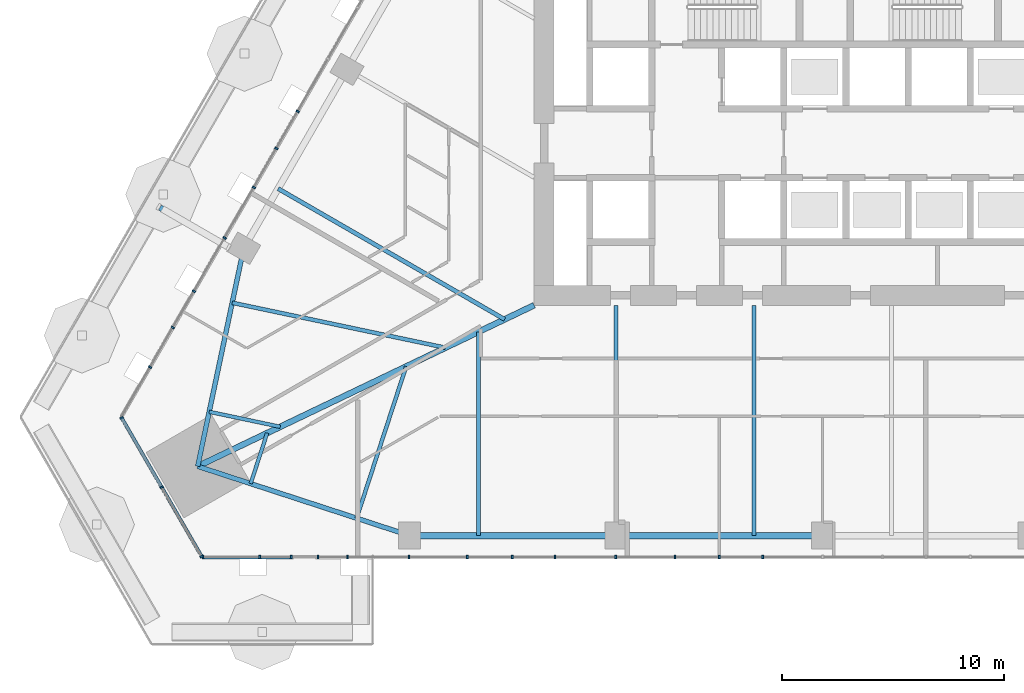
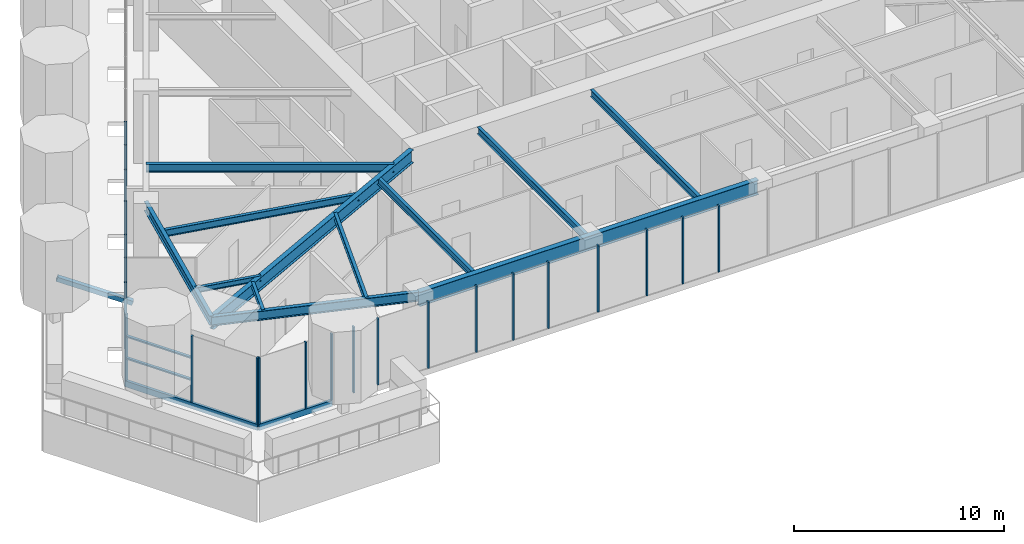
# One storey, part 2 of 25: 28 members, 12 beams, 3 elements without a shape of their own.
"""IFC4 building model written with IfcOpenShell, lengths in metres."""

from ifc_helpers import new_model, si_unit, direction, frame, origin, origin_2d, place, context, subcontext, project, spatial, rectangle, hollow_rectangle, i_section, extrude, material, layer, layer_set, material_profile, profile_set, type_object, element, aggregate, save


model = new_model("IFC4")

# Units and contexts
model_context = context("Model", 3, precision=1e-05, world=origin(), true_north=direction((0.0, 1.0)))
body_context = subcontext(model_context, "Body", "Model", "MODEL_VIEW")
ifc_project = project(units=[si_unit("LENGTHUNIT", "METRE"), si_unit("AREAUNIT", "SQUARE_METRE"), si_unit("VOLUMEUNIT", "CUBIC_METRE"), si_unit("PLANEANGLEUNIT", "RADIAN"), si_unit("MASSUNIT", "GRAM", prefix="KILO")], contexts=[model_context])

# Site, building, storey
site_placement = place(None, origin())
site = spatial("IfcSite", under=ifc_project, at=site_placement, CompositionType="ELEMENT")
building_placement = place(site_placement, origin())
building = spatial("IfcBuilding", under=site, at=building_placement, Name="Firuza Gate Tower and Library", CompositionType="ELEMENT")
storey_placement = place(building_placement, frame((0.0, 0.0, 119.800048828125)))
storey = spatial("IfcBuildingStorey", under=building, at=storey_placement, Name="L27", CompositionType="ELEMENT", Elevation=119.800048828125)

# Curtain wall, members
ifc_material_1 = material(Name="Aluminium 6063-T6", Category="aluminium")
ifc_layer_1 = layer(ifc_material_1, 0.14990234375)
ifc_layer_set_1 = layer_set([ifc_layer_1], Name="Unitised curtain wall, offices")
curtain_wall_type_1 = type_object("IfcCurtainWallType", Name="Unitised curtain wall, offices", PredefinedType="NOTDEFINED", material=ifc_layer_set_1)
placement = place(storey_placement, origin())
curtain_wall_1 = element("IfcCurtainWall", 1, at=placement, inside=storey, type_object=curtain_wall_type_1, Name="CW1 L27 S face", PredefinedType="NOTDEFINED")
ifc_material_2 = material(Name="Aluminium 6063-T6", Category="aluminium")
ifc_material_profile_1 = material_profile(ifc_material_2, rectangle(XDim=0.14990234375, YDim=0.080078125, at=origin_2d()))
ifc_profile_set_1 = profile_set([ifc_material_profile_1], Name="Aluminium 6063-T6")
member_type_1 = type_object("IfcMemberType", Name="Curtain wall mullion 80x150", PredefinedType="MULLION", material=ifc_profile_set_1)
member_1_placement = place(storey_placement, frame((47.08154296875, 54.6513671875, 0.14990234375), z_axis=(0.0, 0.0, 1.0), x_axis=(0.0, 1.0, 0.0)))
member_1 = element("IfcMember", 2, at=member_1_placement, type_object=member_type_1, Name="Mullion", PredefinedType="MULLION", context=body_context, shape_type="SweptSolid", body=[
    extrude(rectangle(XDim=0.14990234375, YDim=0.080078125, at=origin_2d()), origin(), (0.0, 0.0, 1.0), 3.85009765625),
])
member_2_placement = place(storey_placement, frame((51.0615234375, 54.6513671875, 0.14990234375), z_axis=(0.0, 0.0, 1.0), x_axis=(0.0, 1.0, 0.0)))
member_2 = element("IfcMember", 3, at=member_2_placement, type_object=member_type_1, Name="Mullion", PredefinedType="MULLION", context=body_context, shape_type="SweptSolid", body=[
    extrude(rectangle(XDim=0.14990234375, YDim=0.080078125, at=origin_2d()), origin(), (0.0, 0.0, 1.0), 3.85009765625),
])
member_3_placement = place(storey_placement, frame((52.261474609375, 54.6513671875, 0.14990234375), z_axis=(0.0, 0.0, 1.0), x_axis=(0.0, 1.0, 0.0)))
member_3 = element("IfcMember", 4, at=member_3_placement, type_object=member_type_1, Name="Mullion", PredefinedType="MULLION", context=body_context, shape_type="SweptSolid", body=[
    extrude(rectangle(XDim=0.14990234375, YDim=0.080078125, at=origin_2d()), origin(), (0.0, 0.0, 1.0), 3.85009765625),
])
member_4_placement = place(storey_placement, frame((56.361083984375, 54.6513671875, 0.14990234375), z_axis=(0.0, 0.0, 1.0), x_axis=(0.0, 1.0, 0.0)))
member_4 = element("IfcMember", 5, at=member_4_placement, type_object=member_type_1, Name="Mullion", PredefinedType="MULLION", context=body_context, shape_type="SweptSolid", body=[
    extrude(rectangle(XDim=0.14990234375, YDim=0.080078125, at=origin_2d()), origin(), (0.0, 0.0, 1.0), 3.85009765625),
])
member_5_placement = place(storey_placement, frame((61.020751953125, 54.6513671875, 0.14990234375), z_axis=(0.0, 0.0, 1.0), x_axis=(0.0, 1.0, 0.0)))
member_5 = element("IfcMember", 6, at=member_5_placement, type_object=member_type_1, Name="Mullion", PredefinedType="MULLION", context=body_context, shape_type="SweptSolid", body=[
    extrude(rectangle(XDim=0.14990234375, YDim=0.080078125, at=origin_2d()), origin(), (0.0, 0.0, 1.0), 3.85009765625),
])
member_6_placement = place(storey_placement, frame((65.680419921875, 54.6513671875, 0.14990234375), z_axis=(0.0, 0.0, 1.0), x_axis=(0.0, 1.0, 0.0)))
member_6 = element("IfcMember", 7, at=member_6_placement, type_object=member_type_1, Name="Mullion", PredefinedType="MULLION", context=body_context, shape_type="SweptSolid", body=[
    extrude(rectangle(XDim=0.14990234375, YDim=0.080078125, at=origin_2d()), origin(), (0.0, 0.0, 1.0), 3.85009765625),
])
member_7_placement = place(storey_placement, frame((70.34033203125, 54.6513671875, 0.14990234375), z_axis=(0.0, 0.0, 1.0), x_axis=(0.0, 1.0, 0.0)))
member_7 = element("IfcMember", 8, at=member_7_placement, type_object=member_type_1, Name="Mullion", PredefinedType="MULLION", context=body_context, shape_type="SweptSolid", body=[
    extrude(rectangle(XDim=0.14990234375, YDim=0.080078125, at=origin_2d()), origin(), (0.0, 0.0, 1.0), 3.85009765625),
])
member_8_placement = place(storey_placement, frame((49.637939453125, 54.6513671875, 0.14990234375), z_axis=(0.0, 0.0, 1.0), x_axis=(0.0, 1.0, 0.0)))
member_8 = element("IfcMember", 9, at=member_8_placement, type_object=member_type_1, Name="Mullion", PredefinedType="MULLION", context=body_context, shape_type="SweptSolid", body=[
    extrude(rectangle(XDim=0.14990234375, YDim=0.080078125, at=origin_2d()), origin(), (0.0, 0.0, 1.0), 3.85009765625),
])
member_9_placement = place(storey_placement, frame((53.5908203125, 54.6513671875, 0.14990234375), z_axis=(0.0, 0.0, 1.0), x_axis=(0.0, 1.0, 0.0)))
member_9 = element("IfcMember", 10, at=member_9_placement, type_object=member_type_1, Name="Mullion", PredefinedType="MULLION", context=body_context, shape_type="SweptSolid", body=[
    extrude(rectangle(XDim=0.14990234375, YDim=0.080078125, at=origin_2d()), origin(), (0.0, 0.0, 1.0), 3.85009765625),
])
member_10_placement = place(storey_placement, frame((58.9921875, 54.6513671875, 0.14990234375), z_axis=(0.0, 0.0, 1.0), x_axis=(0.0, 1.0, 0.0)))
member_10 = element("IfcMember", 11, at=member_10_placement, type_object=member_type_1, Name="Mullion", PredefinedType="MULLION", context=body_context, shape_type="SweptSolid", body=[
    extrude(rectangle(XDim=0.14990234375, YDim=0.080078125, at=origin_2d()), origin(), (0.0, 0.0, 1.0), 3.85009765625),
])
member_11_placement = place(storey_placement, frame((62.945068359375, 54.6513671875, 0.14990234375), z_axis=(0.0, 0.0, 1.0), x_axis=(0.0, 1.0, 0.0)))
member_11 = element("IfcMember", 12, at=member_11_placement, type_object=member_type_1, Name="Mullion", PredefinedType="MULLION", context=body_context, shape_type="SweptSolid", body=[
    extrude(rectangle(XDim=0.14990234375, YDim=0.080078125, at=origin_2d()), origin(), (0.0, 0.0, 1.0), 3.85009765625),
])
member_12_placement = place(storey_placement, frame((68.346435546875, 54.6513671875, 0.14990234375), z_axis=(0.0, 0.0, 1.0), x_axis=(0.0, 1.0, 0.0)))
member_12 = element("IfcMember", 13, at=member_12_placement, type_object=member_type_1, Name="Mullion", PredefinedType="MULLION", context=body_context, shape_type="SweptSolid", body=[
    extrude(rectangle(XDim=0.14990234375, YDim=0.080078125, at=origin_2d()), origin(), (0.0, 0.0, 1.0), 3.85009765625),
])
member_13_placement = place(storey_placement, frame((72.29931640625, 54.6513671875, 0.14990234375), z_axis=(0.0, 0.0, 1.0), x_axis=(0.0, 1.0, 0.0)))
member_13 = element("IfcMember", 14, at=member_13_placement, type_object=member_type_1, Name="Mullion", PredefinedType="MULLION", context=body_context, shape_type="SweptSolid", body=[
    extrude(rectangle(XDim=0.14990234375, YDim=0.080078125, at=origin_2d()), origin(), (0.0, 0.0, 1.0), 3.85009765625),
])

curtain_wall_2 = element("IfcCurtainWall", 15, at=placement, inside=storey, type_object=curtain_wall_type_1, Name="CW1 L27 W face", PredefinedType="NOTDEFINED")
member_14_placement = place(storey_placement, frame((50.387939453125, 73.068115234375, 0.14990234375), z_axis=(0.0, 0.0, 1.0), x_axis=(0.866025403784, -0.5, 0.0)))
member_14 = element("IfcMember", 16, at=member_14_placement, type_object=member_type_1, Name="Mullion", PredefinedType="MULLION", context=body_context, shape_type="SweptSolid", body=[
    extrude(rectangle(XDim=0.14990234375, YDim=0.080078125, at=origin_2d()), origin(), (0.0, 0.0, 1.0), 3.85009765625),
])
member_15_placement = place(storey_placement, frame((48.057861328125, 69.032470703125, 0.14990234375), z_axis=(0.0, 0.0, 1.0), x_axis=(0.866025403784, -0.5, 0.0)))
member_15 = element("IfcMember", 17, at=member_15_placement, type_object=member_type_1, Name="Mullion", PredefinedType="MULLION", context=body_context, shape_type="SweptSolid", body=[
    extrude(rectangle(XDim=0.14990234375, YDim=0.080078125, at=origin_2d()), origin(), (0.0, 0.0, 1.0), 3.85009765625),
])
member_16_placement = place(storey_placement, frame((45.72802734375, 64.9970703125, 0.14990234375), z_axis=(0.0, 0.0, 1.0), x_axis=(0.866025403784, -0.5, 0.0)))
member_16 = element("IfcMember", 18, at=member_16_placement, type_object=member_type_1, Name="Mullion", PredefinedType="MULLION", context=body_context, shape_type="SweptSolid", body=[
    extrude(rectangle(XDim=0.14990234375, YDim=0.080078125, at=origin_2d()), origin(), (0.0, 0.0, 1.0), 3.85009765625),
])
member_17_placement = place(storey_placement, frame((51.35009765625, 74.734619140625, 0.14990234375), z_axis=(0.0, 0.0, 1.0), x_axis=(0.866025403784, -0.5, 0.0)))
member_17 = element("IfcMember", 19, at=member_17_placement, type_object=member_type_1, Name="Mullion", PredefinedType="MULLION", context=body_context, shape_type="SweptSolid", body=[
    extrude(rectangle(XDim=0.14990234375, YDim=0.080078125, at=origin_2d()), origin(), (0.0, 0.0, 1.0), 3.85009765625),
])
member_18_placement = place(storey_placement, frame((49.37353515625, 71.311279296875, 0.14990234375), z_axis=(0.0, 0.0, 1.0), x_axis=(0.866025403784, -0.5, 0.0)))
member_18 = element("IfcMember", 20, at=member_18_placement, type_object=member_type_1, Name="Mullion", PredefinedType="MULLION", context=body_context, shape_type="SweptSolid", body=[
    extrude(rectangle(XDim=0.14990234375, YDim=0.080078125, at=origin_2d()), origin(), (0.0, 0.0, 1.0), 3.85009765625),
])
member_19_placement = place(storey_placement, frame((46.6728515625, 66.633544921875, 0.14990234375), z_axis=(0.0, 0.0, 1.0), x_axis=(0.866025403784, -0.5, 0.0)))
member_19 = element("IfcMember", 21, at=member_19_placement, type_object=member_type_1, Name="Mullion", PredefinedType="MULLION", context=body_context, shape_type="SweptSolid", body=[
    extrude(rectangle(XDim=0.14990234375, YDim=0.080078125, at=origin_2d()), origin(), (0.0, 0.0, 1.0), 3.85009765625),
])
member_20_placement = place(storey_placement, frame((44.696533203125, 63.210205078125, 0.14990234375), z_axis=(0.0, 0.0, 1.0), x_axis=(0.866025403784, -0.5, 0.0)))
member_20 = element("IfcMember", 22, at=member_20_placement, type_object=member_type_1, Name="Mullion", PredefinedType="MULLION", context=body_context, shape_type="SweptSolid", body=[
    extrude(rectangle(XDim=0.14990234375, YDim=0.080078125, at=origin_2d()), origin(), (0.0, 0.0, 1.0), 3.85009765625),
])
aggregate(curtain_wall_2, [member_14, member_15, member_16, member_17, member_18, member_19, member_20])

ifc_material_3 = material(Name="Aluminium 6063-T6", Category="aluminium")
ifc_layer_2 = layer(ifc_material_3, 0.14990234375)
ifc_layer_set_2 = layer_set([ifc_layer_2], Name="Corner curtain wall, chamfers")
curtain_wall_type_2 = type_object("IfcCurtainWallType", Name="Corner curtain wall, chamfers", PredefinedType="NOTDEFINED", material=ifc_layer_set_2)
curtain_wall_3 = element("IfcCurtainWall", 23, at=placement, inside=storey, type_object=curtain_wall_type_2, Name="CW4 L27 SW corner", PredefinedType="NOTDEFINED")
member_21_placement = place(storey_placement, frame((43.418212890625, 60.927001953125, 0.14990234375), z_axis=(0.0, 0.0, 1.0), x_axis=(0.866025403784, 0.5, 0.0)))
member_21 = element("IfcMember", 24, at=member_21_placement, type_object=member_type_1, Name="Mullion", PredefinedType="MULLION", context=body_context, shape_type="SweptSolid", body=[
    extrude(rectangle(XDim=0.14990234375, YDim=0.080078125, at=origin_2d()), origin(), (0.0, 0.0, 1.0), 3.85009765625),
])
member_22_placement = place(storey_placement, frame((45.219970703125, 57.806396484375, 0.14990234375), z_axis=(0.0, 0.0, 1.0), x_axis=(0.866025403784, 0.5, 0.0)))
member_22 = element("IfcMember", 25, at=member_22_placement, type_object=member_type_1, Name="Mullion", PredefinedType="MULLION", context=body_context, shape_type="SweptSolid", body=[
    extrude(rectangle(XDim=0.14990234375, YDim=0.080078125, at=origin_2d()), origin(), (0.0, 0.0, 1.0), 3.85009765625),
])
member_23_placement = place(storey_placement, frame((47.021484375, 54.685791015625, 0.14990234375), z_axis=(0.0, 0.0, 1.0), x_axis=(0.866025403784, 0.5, 0.0)))
member_23 = element("IfcMember", 26, at=member_23_placement, type_object=member_type_1, Name="Mullion", PredefinedType="MULLION", context=body_context, shape_type="SweptSolid", body=[
    extrude(rectangle(XDim=0.14990234375, YDim=0.080078125, at=origin_2d()), origin(), (0.0, 0.0, 1.0), 3.85009765625),
])

# Member
ifc_material_4 = material(Name="Aluminium 6063-T6", Category="aluminium")
ifc_material_profile_2 = material_profile(ifc_material_4, rectangle(XDim=0.14990234375, YDim=0.35009765625, at=origin_2d()))
ifc_profile_set_2 = profile_set([ifc_material_profile_2], Name="Aluminium 6063-T6")
member_type_2 = type_object("IfcMemberType", Name="Curtain wall transom 350x150", PredefinedType="USERDEFINED", material=ifc_profile_set_2)
member_24_placement = place(storey_placement, frame((47.04150390625, 54.6513671875, -0.025146484375), z_axis=(1.0, 0.0, 0.0), x_axis=(0.0, 1.0, 0.0)))
member_24 = element("IfcMember", 27, at=member_24_placement, type_object=member_type_2, Name="Transom", ObjectType="TRANSOM", PredefinedType="USERDEFINED", context=body_context, shape_type="SweptSolid", body=[
    extrude(rectangle(XDim=0.14990234375, YDim=0.35009765625, at=origin_2d()), origin(), (0.0, 0.0, 1.0), 4.02001953125),
])

aggregate(curtain_wall_1, [member_1, member_2, member_3, member_4, member_5, member_6, member_7, member_24, member_8, member_9, member_10, member_11, member_12, member_13])

member_25_placement = place(storey_placement, frame((43.398193359375, 60.961669921875, -0.025146484375), z_axis=(0.500005719219, -0.866022101766, 0.0), x_axis=(0.866022101766, 0.500005719219, 0.0)))
member_25 = element("IfcMember", 28, at=member_25_placement, type_object=member_type_2, Name="Transom", ObjectType="TRANSOM", PredefinedType="USERDEFINED", context=body_context, shape_type="SweptSolid", body=[
    extrude(rectangle(XDim=0.14990234375, YDim=0.35009765625, at=origin_2d()), origin(), (0.0, 0.0, 1.0), 7.28662109375),
])

ifc_material_5 = material(Name="Aluminium 6063-T6", Category="aluminium")
ifc_material_profile_3 = material_profile(ifc_material_5, rectangle(XDim=0.14990234375, YDim=0.080078125, at=origin_2d()))
ifc_profile_set_3 = profile_set([ifc_material_profile_3], Name="Aluminium 6063-T6")
member_type_3 = type_object("IfcMemberType", Name="Curtain wall transom 80x150", PredefinedType="USERDEFINED", material=ifc_profile_set_3)
member_26_placement = place(storey_placement, frame((43.418212890625, 60.927001953125, 1.449951171875), z_axis=(0.500015035186, -0.866016723041, 0.0), x_axis=(0.866016723041, 0.500015035186, 0.0)))
member_26 = element("IfcMember", 29, at=member_26_placement, type_object=member_type_3, Name="Transom", ObjectType="TRANSOM", PredefinedType="USERDEFINED", context=body_context, shape_type="SweptSolid", body=[
    extrude(rectangle(XDim=0.14990234375, YDim=0.080078125, at=origin_2d()), origin(), (0.0, 0.0, 1.0), 3.5634765625),
])

member_27_placement = place(storey_placement, frame((43.418212890625, 60.927001953125, 2.724853515625), z_axis=(0.500015035186, -0.866016723041, 0.0), x_axis=(0.866016723041, 0.500015035186, 0.0)))
member_27 = element("IfcMember", 30, at=member_27_placement, type_object=member_type_3, Name="Transom", ObjectType="TRANSOM", PredefinedType="USERDEFINED", context=body_context, shape_type="SweptSolid", body=[
    extrude(rectangle(XDim=0.14990234375, YDim=0.080078125, at=origin_2d()), origin(), (0.0, 0.0, 1.0), 3.5634765625),
])

aggregate(curtain_wall_3, [member_21, member_22, member_23, member_25, member_26, member_27])

ifc_material_6 = material(Name="Steel S355", Category="steel")
ifc_material_profile_4 = material_profile(ifc_material_6, hollow_rectangle(XDim=0.25390625, YDim=0.25390625, WallThickness=0.01171875, at=origin_2d()))
ifc_profile_set_4 = profile_set([ifc_material_profile_4], Name="Steel S355")
member_type_4 = type_object("IfcMemberType", Name="HSS254x254x13 Tray strut", PredefinedType="BRACE", material=ifc_profile_set_4)
member_28_placement = place(storey_placement, frame((48.216796875, 68.627685546875, -1.670166015625), z_axis=(-0.807122458648, 0.466007352202, 0.362478253747), x_axis=(-0.500012057535, -0.866018442252, 0.0)))
element("IfcMember", 31, at=member_28_placement, inside=storey, type_object=member_type_4, Name="Tray strut L27 col:L26:W5", PredefinedType="BRACE", context=body_context, shape_type="SweptSolid", body=[
    extrude(hollow_rectangle(XDim=0.25390625, YDim=0.25390625, WallThickness=0.01171875, at=origin_2d()), origin(), (0.0, 0.0, 1.0), 3.86279296875),
])

# Beams
ifc_material_7 = material(Name="Steel S355", Category="steel")
ifc_material_profile_5 = material_profile(ifc_material_7, i_section(OverallWidth=0.1650390625, OverallDepth=0.31005859375, WebThickness=0.005859375, FlangeThickness=0.009765625, at=origin_2d()))
ifc_profile_set_5 = profile_set([ifc_material_profile_5], Name="Steel S355")
beam_type_1 = type_object("IfcBeamType", Name="W310x39 Floor beam", PredefinedType="JOIST", material=ifc_profile_set_5)
beam_1_placement = place(storey_placement, frame((47.362060546875, 61.200439453125, 3.844970703125), z_axis=(0.978457064739, -0.206450411631, 0.0), x_axis=(0.206450411631, 0.978457064739, 0.0)))
element("IfcBeam", 32, at=beam_1_placement, inside=storey, type_object=beam_type_1, Name="Floor beam L27 s01", PredefinedType="JOIST", context=body_context, shape_type="SweptSolid", body=[
    extrude(i_section(OverallWidth=0.1650390625, OverallDepth=0.31005859375, WebThickness=0.005859375, FlangeThickness=0.009765625, at=origin_2d()), origin(), (0.0, 0.0, 1.0), 3.272216796875),
])
beam_2_placement = place(storey_placement, frame((49.230224609375, 57.964599609375, 3.844970703125), z_axis=(0.31050698786, 0.95057109702, 0.0), x_axis=(-0.95057109702, 0.31050698786, 0.0)))
element("IfcBeam", 33, at=beam_2_placement, inside=storey, type_object=beam_type_1, Name="Floor beam L27 s10", PredefinedType="JOIST", context=body_context, shape_type="SweptSolid", body=[
    extrude(i_section(OverallWidth=0.1650390625, OverallDepth=0.31005859375, WebThickness=0.005859375, FlangeThickness=0.009765625, at=origin_2d()), origin(), (0.0, 0.0, 1.0), 2.396484375),
])
ifc_material_8 = material(Name="Steel S355", Category="steel")
ifc_material_profile_6 = material_profile(ifc_material_8, i_section(OverallWidth=0.1708984375, OverallDepth=0.35498046875, WebThickness=0.007080078125, FlangeThickness=0.01171875, at=origin_2d()))
ifc_profile_set_6 = profile_set([ifc_material_profile_6], Name="Steel S355")
beam_type_2 = type_object("IfcBeamType", Name="W360x51 Floor beam", PredefinedType="JOIST", material=ifc_profile_set_6)
beam_3_placement = place(storey_placement, frame((54.00341796875, 56.40576171875, 3.822509765625), z_axis=(0.310435598009, 0.950594413769, 0.0), x_axis=(-0.950594413769, 0.310435598009, 0.0)))
element("IfcBeam", 34, at=beam_3_placement, inside=storey, type_object=beam_type_2, Name="Floor beam L27 s11", PredefinedType="JOIST", context=body_context, shape_type="SweptSolid", body=[
    extrude(i_section(OverallWidth=0.1708984375, OverallDepth=0.35498046875, WebThickness=0.007080078125, FlangeThickness=0.01171875, at=origin_2d()), origin(), (0.0, 0.0, 1.0), 7.189697265625),
])
ifc_material_9 = material(Name="Steel S355", Category="steel")
ifc_material_profile_7 = material_profile(ifc_material_9, i_section(OverallWidth=0.177978515625, OverallDepth=0.406982421875, WebThickness=0.0078125, FlangeThickness=0.0126953125, at=origin_2d()))
ifc_profile_set_7 = profile_set([ifc_material_profile_7], Name="Steel S355")
beam_type_3 = type_object("IfcBeamType", Name="W410x60 Floor beam", PredefinedType="JOIST", material=ifc_profile_set_7)
beam_4_placement = place(storey_placement, frame((48.3984375, 66.113525390625, 3.79638671875), z_axis=(0.978460244471, -0.206435340942, 0.0), x_axis=(0.206435340942, 0.978460244471, 0.0)))
element("IfcBeam", 35, at=beam_4_placement, inside=storey, type_object=beam_type_3, Name="Floor beam L27 s00", PredefinedType="JOIST", context=body_context, shape_type="SweptSolid", body=[
    extrude(i_section(OverallWidth=0.177978515625, OverallDepth=0.406982421875, WebThickness=0.0078125, FlangeThickness=0.0126953125, at=origin_2d()), origin(), (0.0, 0.0, 1.0), 9.817138671875),
])
beam_5_placement = place(storey_placement, frame((59.491455078125, 55.626220703125, 3.79638671875), z_axis=(0.0, 1.0, 0.0), x_axis=(-1.0, 0.0, 0.0)))
element("IfcBeam", 36, at=beam_5_placement, inside=storey, type_object=beam_type_3, Name="Floor beam L27 s20", PredefinedType="JOIST", context=body_context, shape_type="SweptSolid", body=[
    extrude(i_section(OverallWidth=0.177978515625, OverallDepth=0.406982421875, WebThickness=0.0078125, FlangeThickness=0.0126953125, at=origin_2d()), origin(), (0.0, 0.0, 1.0), 9.1728515625),
])
for number, where, z_axis, x_axis, name in (
    (37, (65.69482421875, 55.626220703125, 3.79638671875), (0.0, 1.0, 0.0), (-1.0, 0.0, 0.0), "Floor beam L27 s21"),
    (38, (71.898193359375, 55.626220703125, 3.79638671875), (0.0, 1.0, 0.0), (-1.0, 0.0, 0.0), "Floor beam L27 s22"),
):
    element("IfcBeam", number, at=place(storey_placement, frame(where, z_axis=z_axis, x_axis=x_axis)), inside=storey, type_object=beam_type_3, Name=name, PredefinedType="JOIST", context=body_context, shape_type="SweptSolid", body=[
        extrude(i_section(OverallWidth=0.177978515625, OverallDepth=0.406982421875, WebThickness=0.0078125, FlangeThickness=0.0126953125, at=origin_2d()), origin(), (0.0, 0.0, 1.0), 10.373779296875),
    ])
ifc_material_10 = material(Name="Steel S355", Category="steel")
ifc_material_profile_8 = material_profile(ifc_material_10, i_section(OverallWidth=0.18994140625, OverallDepth=0.45703125, WebThickness=0.009033203125, FlangeThickness=0.014404296875, at=origin_2d()))
ifc_profile_set_8 = profile_set([ifc_material_profile_8], Name="Steel S355")
beam_type_4 = type_object("IfcBeamType", Name="W460x74 Floor beam", PredefinedType="JOIST", material=ifc_profile_set_8)
beam_6_placement = place(storey_placement, frame((50.467529296875, 71.256103515625, 3.771484375), z_axis=(0.866031359964, -0.499989683453, 0.0), x_axis=(0.499989683453, 0.866031359964, 0.0)))
element("IfcBeam", 39, at=beam_6_placement, inside=storey, type_object=beam_type_4, Name="Floor beam L27 s85", PredefinedType="JOIST", context=body_context, shape_type="SweptSolid", body=[
    extrude(i_section(OverallWidth=0.18994140625, OverallDepth=0.45703125, WebThickness=0.009033203125, FlangeThickness=0.014404296875, at=origin_2d()), origin(), (0.0, 0.0, 1.0), 11.783447265625),
])
ifc_material_11 = material(Name="Steel S355", Category="steel")
ifc_material_profile_9 = material_profile(ifc_material_11, i_section(OverallWidth=0.212890625, OverallDepth=0.5390625, WebThickness=0.01171875, FlangeThickness=0.018798828125, at=origin_2d()))
ifc_profile_set_9 = profile_set([ifc_material_profile_9], Name="Steel S355")
beam_type_5 = type_object("IfcBeamType", Name="W530x109 Edge beam", PredefinedType="SPANDREL", material=ifc_profile_set_9)
beam_7_placement = place(storey_placement, frame((48.916748046875, 68.570068359375, 3.73046875), z_axis=(-0.206423360116, -0.978462772107, 0.0), x_axis=(0.978462772107, -0.206423360116, 0.0)))
element("IfcBeam", 40, at=beam_7_placement, inside=storey, type_object=beam_type_5, Name="Edge beam L27 e00", PredefinedType="SPANDREL", context=body_context, shape_type="SweptSolid", body=[
    extrude(i_section(OverallWidth=0.212890625, OverallDepth=0.5390625, WebThickness=0.01171875, FlangeThickness=0.018798828125, at=origin_2d()), origin(), (0.0, 0.0, 1.0), 10.04248046875),
])
beam_8_placement = place(storey_placement, frame((46.84375, 58.743896484375, 3.73046875), z_axis=(0.950588765818, -0.310452892241, 0.0), x_axis=(0.310452892241, 0.950588765818, 0.0)))
element("IfcBeam", 41, at=beam_8_placement, inside=storey, type_object=beam_type_5, Name="Edge beam L27 e10", PredefinedType="SPANDREL", context=body_context, shape_type="SweptSolid", body=[
    extrude(i_section(OverallWidth=0.212890625, OverallDepth=0.5390625, WebThickness=0.01171875, FlangeThickness=0.018798828125, at=origin_2d()), origin(), (0.0, 0.0, 1.0), 10.042236328125),
])
ifc_material_12 = material(Name="Steel S355", Category="steel")
ifc_material_profile_10 = material_profile(ifc_material_12, i_section(OverallWidth=0.264892578125, OverallDepth=0.7529296875, WebThickness=0.01318359375, FlangeThickness=0.01708984375, at=origin_2d()))
ifc_profile_set_10 = profile_set([ifc_material_profile_10], Name="Steel S355")
beam_type_6 = type_object("IfcBeamType", Name="W760x147 Girder", PredefinedType="BEAM", material=ifc_profile_set_10)
beam_9_placement = place(storey_placement, frame((46.84375, 58.743896484375, 3.62353515625), z_axis=(0.901961298657, 0.431816877535, 0.0), x_axis=(-0.431816877535, 0.901961298657, 0.0)))
element("IfcBeam", 42, at=beam_9_placement, inside=storey, type_object=beam_type_6, Name="Girder L27 gSW", PredefinedType="BEAM", context=body_context, shape_type="SweptSolid", body=[
    extrude(i_section(OverallWidth=0.264892578125, OverallDepth=0.7529296875, WebThickness=0.01318359375, FlangeThickness=0.01708984375, at=origin_2d()), origin(), (0.0, 0.0, 1.0), 16.8037109375),
])
ifc_material_13 = material(Name="Steel S355", Category="steel")
ifc_material_profile_11 = material_profile(ifc_material_13, i_section(OverallWidth=0.2919921875, OverallDepth=0.8349609375, WebThickness=0.013916015625, FlangeThickness=0.018798828125, at=origin_2d()))
ifc_profile_set_11 = profile_set([ifc_material_profile_11], Name="Steel S355")
beam_type_7 = type_object("IfcBeamType", Name="W840x176 Edge beam", PredefinedType="SPANDREL", material=ifc_profile_set_11)
beam_10_placement = place(storey_placement, frame((56.389892578125, 55.626220703125, 3.58251953125), z_axis=(1.0, 0.0, 0.0), x_axis=(0.0, 1.0, 0.0)))
element("IfcBeam", 43, at=beam_10_placement, inside=storey, type_object=beam_type_7, Name="Edge beam L27 e20", PredefinedType="SPANDREL", context=body_context, shape_type="SweptSolid", body=[
    extrude(i_section(OverallWidth=0.2919921875, OverallDepth=0.8349609375, WebThickness=0.013916015625, FlangeThickness=0.018798828125, at=origin_2d()), origin(), (0.0, 0.0, 1.0), 18.610107421875),
])

save(model, "model.ifc")
